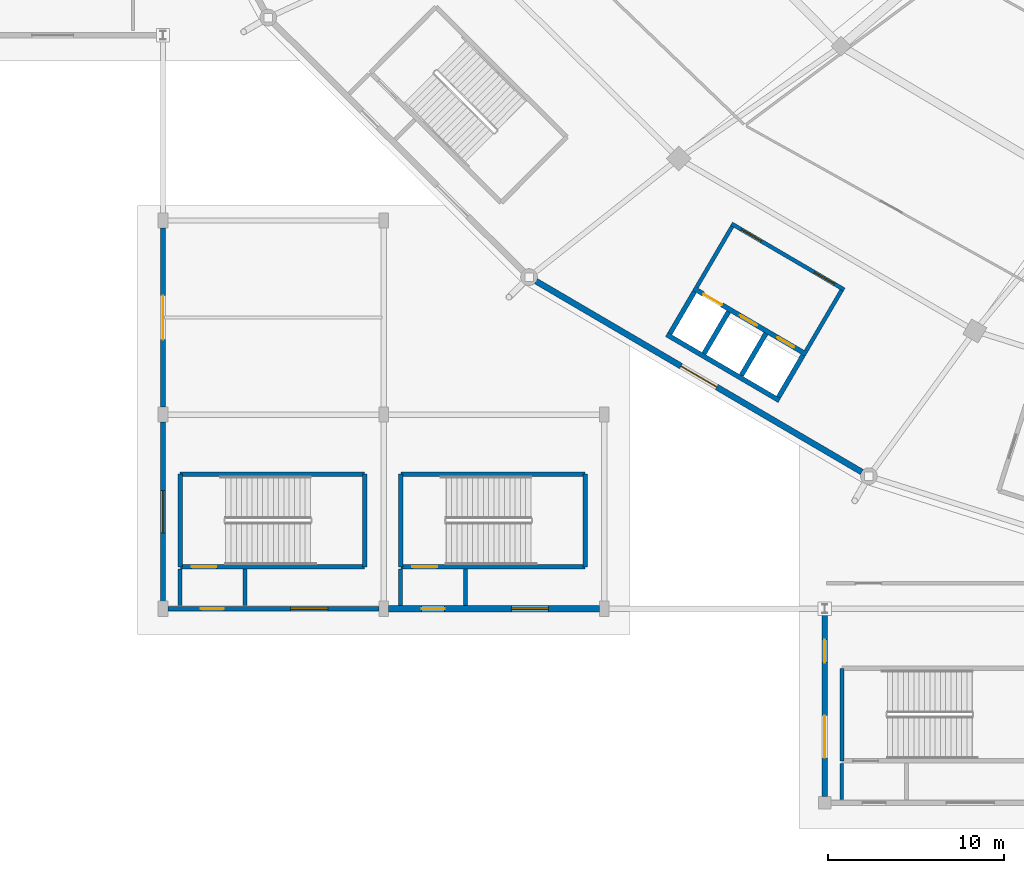
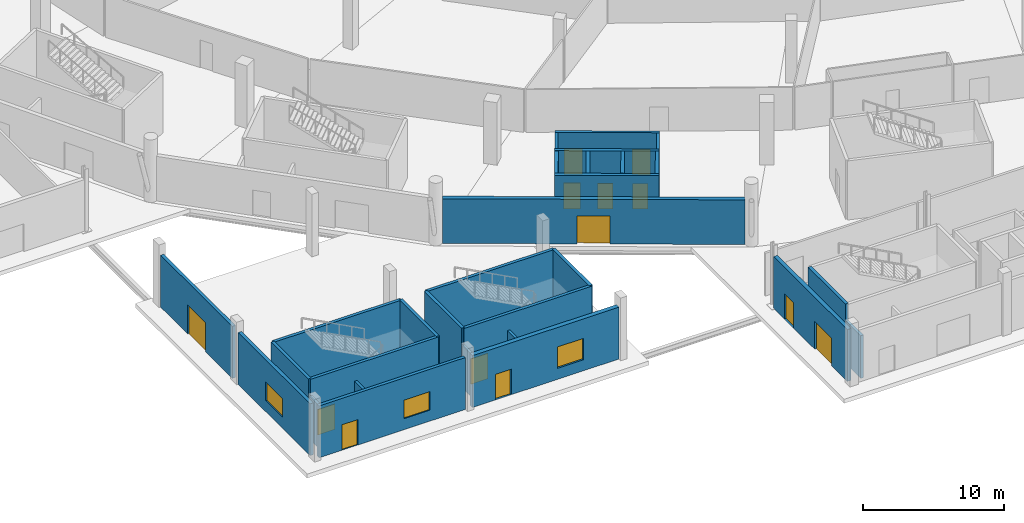
# One storey, part 36 of 82: 29 walls, 13 doors, 3 windows, 16 openings.
"""IFC4 building model written with IfcOpenShell, lengths in metres."""

import ifcopenshell
import ifcopenshell.guid

model = None  # the IFC model being written
_history = None  # IfcOwnerHistory: only IFC2X3 demands one
_inside = {}  # id of a spatial element -> (the spatial element, [elements in it])
_under = {}  # id of a project, library or spatial element -> (it, [spatial elements below it])
_declared = {}  # id of a project -> (the project, [libraries it declares])
_typed = {}  # id of a type object -> (the type object, [elements of that type])
_made_of = {}  # id of a material, layer set ... -> (it, [elements and type objects made of it])


def new_model(schema):
    """Start an empty IFC model of exactly this schema.

    Asked for "IFC4X3", IfcOpenShell would pick the latest addendum, in which some entities
    have other attributes; the version numbers below select the first issue.
    IFC2X3 requires an IfcOwnerHistory on every rooted entity: one is made here for all.
    """
    global model, _history
    if schema == "IFC4X3":
        model = ifcopenshell.file(schema_version=(4, 3, 0, 0))
    else:
        model = ifcopenshell.file(schema=schema)
    _inside.clear()
    _under.clear()
    _declared.clear()
    _typed.clear()
    _made_of.clear()
    _history = None
    if model.schema == "IFC2X3":
        org = make("IfcOrganization", Name="unknown")
        user = make(
            "IfcPersonAndOrganization",
            ThePerson=make("IfcPerson", FamilyName="unknown"),
            TheOrganization=org,
        )
        app = make(
            "IfcApplication",
            ApplicationDeveloper=org,
            Version="unknown",
            ApplicationFullName="unknown",
            ApplicationIdentifier="unknown",
        )
        _history = make(
            "IfcOwnerHistory",
            OwningUser=user,
            OwningApplication=app,
            ChangeAction="ADDED",
            CreationDate=0,
        )
    return model


def make(cls, **values):
    """One entity of the class cls with the attributes given. An attribute that is None is left unset."""
    return model.create_entity(
        cls, **{name: value for name, value in values.items() if value is not None}
    )


def rooted(cls, **values):
    """An entity with a GlobalId (a new one), such as an element, a storey or a relation."""
    return make(cls, GlobalId=ifcopenshell.guid.new(), OwnerHistory=_history, **values)


def si_unit(unit_type, name, prefix=None):
    """IfcSIUnit, for example si_unit("LENGTHUNIT", "METRE", prefix="MILLI")."""
    return make("IfcSIUnit", UnitType=unit_type, Prefix=prefix, Name=name)


def assignment(units):
    """IfcUnitAssignment: the units of a project."""
    return None if units is None else make("IfcUnitAssignment", Units=units)


def point(xyz):
    """IfcCartesianPoint."""
    return None if xyz is None else make("IfcCartesianPoint", Coordinates=xyz)


def direction(xyz):
    """IfcDirection."""
    return None if xyz is None else make("IfcDirection", DirectionRatios=xyz)


def frame(location, z_axis=None, x_axis=None):
    """IfcAxis2Placement3D, a coordinate frame: its origin and axes. An axis left out is left unset."""
    return make(
        "IfcAxis2Placement3D",
        Location=point(location),
        Axis=direction(z_axis),
        RefDirection=direction(x_axis),
    )


def frame_2d(location, x_axis=None):
    """IfcAxis2Placement2D, a coordinate frame in the plane: its origin and x axis."""
    return make(
        "IfcAxis2Placement2D", Location=point(location), RefDirection=direction(x_axis)
    )


def origin():
    """The frame at (0, 0, 0) with its axes left unset."""
    return frame((0.0, 0.0, 0.0))


def place(relative_to, where):
    """IfcLocalPlacement: puts the frame where relative to a parent placement (None: the world)."""
    return make(
        "IfcLocalPlacement", PlacementRelTo=relative_to, RelativePlacement=where
    )


def context(
    kind, dimensions, precision=None, world=None, true_north=None, identifier=None
):
    """IfcGeometricRepresentationContext, for example the 3D "Model" context."""
    return make(
        "IfcGeometricRepresentationContext",
        ContextIdentifier=identifier,
        ContextType=kind,
        CoordinateSpaceDimension=dimensions,
        Precision=precision,
        WorldCoordinateSystem=world,
        TrueNorth=true_north,
    )


def subcontext(parent, identifier, kind, view, scale=None):
    """IfcGeometricRepresentationSubContext, for example "Body" below "Model"."""
    return make(
        "IfcGeometricRepresentationSubContext",
        ContextIdentifier=identifier,
        ContextType=kind,
        ParentContext=parent,
        TargetScale=scale,
        TargetView=view,
    )


def project(units=None, contexts=None):
    """IfcProject with its units and contexts."""
    return rooted(
        "IfcProject",
        Name="project",
        RepresentationContexts=contexts,
        UnitsInContext=assignment(units),
    )


def spatial(cls, under=None, at=None, **own):
    """A site, building, storey or space (cls), placed at a placement, below another one or the project."""
    s = rooted(cls, ObjectPlacement=at, **own)
    if under is not None:
        _under.setdefault(under.id(), (under, []))[1].append(s)
    return s


def profile(cls, at=None, kind="AREA", **sizes):
    """A parametric profile (cls). Its sizes go by their IFC names, for example OverallWidth=200.0."""
    return make(cls, ProfileType=kind, Position=at, **sizes)


def rectangle(**sizes):
    """IfcRectangleProfileDef."""
    return profile("IfcRectangleProfileDef", **sizes)


def extrude(swept, where, along, depth):
    """IfcExtrudedAreaSolid: the profile swept, set in the frame where, extruded along a direction by depth."""
    return make(
        "IfcExtrudedAreaSolid",
        SweptArea=swept,
        Position=where,
        ExtrudedDirection=direction(along),
        Depth=depth,
    )


def shape(context_of_items, identifier, shape_type, items):
    """IfcShapeRepresentation: the items that make up one representation, for example the "Body"."""
    return make(
        "IfcShapeRepresentation",
        ContextOfItems=context_of_items,
        RepresentationIdentifier=identifier,
        RepresentationType=shape_type,
        Items=items,
    )


def material(Name=None, Category=None):
    """IfcMaterial."""
    return make("IfcMaterial", Name=Name, Category=Category)


def layer(
    of_material, thickness, ventilated=None, Name=None, Category=None, Priority=None
):
    """IfcMaterialLayer: one layer of a wall or slab, of a material (None: an air gap)."""
    return make(
        "IfcMaterialLayer",
        Material=of_material,
        LayerThickness=thickness,
        IsVentilated=ventilated,
        Name=Name,
        Category=Category,
        Priority=Priority,
    )


def layer_set(layers, Name=None):
    """IfcMaterialLayerSet."""
    return make("IfcMaterialLayerSet", MaterialLayers=layers, LayerSetName=Name)


def made_of(thing, what):
    """Note that an element or type object is made of a material, layer set ...; save() writes the relation."""
    if what is not None:
        _made_of.setdefault(what.id(), (what, []))[1].append(thing)
    return thing


def type_object(cls, material=None, **own):
    """A type object (cls), such as IfcWallType, which elements share."""
    return made_of(rooted(cls, **own), material)


def element(
    cls,
    number,
    at=None,
    inside=None,
    cuts=None,
    type_object=None,
    material=None,
    context=None,
    identifier="Body",
    shape_type=None,
    held_by="IfcProductDefinitionShape",
    body=None,
    shapes=None,
    **own,
):
    """One element of the class cls, such as IfcWall. Its Tag is "e" and its number.

    at: its placement. inside: the storey or other place that contains it. cuts: it is an
    opening in that element (IfcRelVoidsElement). A single representation is given by context,
    identifier, shape_type and body (its items); several are given by shapes. held_by: the class
    of the entity that holds the representations. save() writes the other relations.
    """
    e = rooted(cls, Tag="e%d" % number, ObjectPlacement=at, **own)
    if body is not None:
        shapes = [shape(context, identifier, shape_type, body)]
    if shapes is not None:
        e.Representation = make(held_by, Representations=shapes)
    if inside is not None:
        _inside.setdefault(inside.id(), (inside, []))[1].append(e)
    if cuts is not None:
        rooted(
            "IfcRelVoidsElement", RelatingBuildingElement=cuts, RelatedOpeningElement=e
        )
    if type_object is not None:
        _typed.setdefault(type_object.id(), (type_object, []))[1].append(e)
    return made_of(e, material)


def fill(opening, filler):
    """IfcRelFillsElement: the door or window that sits in an opening."""
    return rooted(
        "IfcRelFillsElement",
        RelatingOpeningElement=opening,
        RelatedBuildingElement=filler,
    )


def aggregate(whole, parts):
    """IfcRelAggregates: a whole, such as a stair, and the parts it consists of."""
    return rooted("IfcRelAggregates", RelatingObject=whole, RelatedObjects=parts)


def save(model, path):
    """Write the relations noted so far, then the file.

    IfcRelAggregates (storeys below a building ...), IfcRelContainedInSpatialStructure (elements
    in a storey), IfcRelDefinesByType, IfcRelAssociatesMaterial and IfcRelDeclares: one each for
    every whole, place, type object, material and project.
    """
    for whole, parts in _under.values():
        aggregate(whole, parts)
    for where, things in _inside.values():
        rooted(
            "IfcRelContainedInSpatialStructure",
            RelatedElements=things,
            RelatingStructure=where,
        )
    for kind, things in _typed.values():
        rooted("IfcRelDefinesByType", RelatedObjects=things, RelatingType=kind)
    for what, things in _made_of.values():
        rooted("IfcRelAssociatesMaterial", RelatedObjects=things, RelatingMaterial=what)
    for by, libraries in _declared.values():
        rooted("IfcRelDeclares", RelatingContext=by, RelatedDefinitions=libraries)
    model.write(path)


model = new_model("IFC4")

# Units and contexts
model_context = context("Model", 3, precision=1e-05, world=origin(), true_north=direction((0.0, 1.0)))
body_context = subcontext(model_context, "Body", "Model", "MODEL_VIEW")
ifc_project = project(units=[si_unit("LENGTHUNIT", "METRE"), si_unit("AREAUNIT", "SQUARE_METRE"), si_unit("VOLUMEUNIT", "CUBIC_METRE"), si_unit("PLANEANGLEUNIT", "RADIAN"), si_unit("MASSUNIT", "GRAM", prefix="KILO")], contexts=[model_context])

# Site, building, storey
site_placement = place(None, origin())
site = spatial("IfcSite", under=ifc_project, at=site_placement, CompositionType="ELEMENT")
building_placement = place(site_placement, origin())
building = spatial("IfcBuilding", under=site, at=building_placement, Name="Zlatoyarsky Gate Stadium", CompositionType="ELEMENT")
storey_placement = place(building_placement, origin())
storey = spatial("IfcBuildingStorey", under=building, at=storey_placement, Name="L00", CompositionType="ELEMENT", Elevation=0.0)

# Walls
ifc_material_1 = material(Name="Concrete C40/50", Category="concrete")
ifc_layer_1 = layer(ifc_material_1, 0.27001953125)
ifc_layer_set_1 = layer_set([ifc_layer_1], Name="Concrete C40/50")
wall_type_1 = type_object("IfcWallType", Name="CONCRETE LIFT SHAFT SHEAR WALL 270", PredefinedType="SHEAR", material=ifc_layer_set_1)
wall_1_placement = place(storey_placement, frame((53.037353515625, 26.541015625, 0.0), z_axis=(0.0, 0.0, 1.0), x_axis=(0.862865684113, -0.505433290534, 0.0)))
element("IfcWall", 1, at=wall_1_placement, inside=storey, type_object=wall_type_1, Name="C3 L00 lift shaft rear wall", PredefinedType="SHEAR", context=body_context, shape_type="SweptSolid", body=[
    extrude(rectangle(XDim=7.400146484375, YDim=0.27001953125, at=frame_2d((3.7001953125, 0.0))), origin(), (0.0, 0.0, 1.0), 5.10009765625),
])
for number, where, z_axis, x_axis, name in (
    (2, (53.227294921875, 26.597900390625, 0.0), (0.0, 0.0, 1.0), (0.505465660416, 0.862846722275, 0.0), "C3 L00 lift shaft left wall"),
    (3, (59.37939453125, 22.993896484375, 0.0), (0.0, 0.0, 1.0), (0.505465660416, 0.862846722275, 0.0), "C3 L00 lift shaft right wall"),
):
    element("IfcWall", number, at=place(storey_placement, frame(where, z_axis=z_axis, x_axis=x_axis)), inside=storey, type_object=wall_type_1, Name=name, PredefinedType="SHEAR", context=body_context, shape_type="SweptSolid", body=[
        extrude(rectangle(XDim=2.739990234375, YDim=0.27001953125, at=frame_2d((1.3701171875, 0.0))), origin(), (0.0, 0.0, 1.0), 5.10009765625),
    ])
wall_2_placement = place(storey_placement, frame((55.159912109375, 25.4658203125, 0.0), z_axis=(0.0, 0.0, 1.0), x_axis=(0.505504523015, 0.862823954936, 0.0)))
element("IfcWall", 4, at=wall_2_placement, inside=storey, type_object=wall_type_1, Name="C3 L00 lift shaft divider 1", PredefinedType="SHEAR", context=body_context, shape_type="SweptSolid", body=[
    extrude(rectangle(XDim=2.73974609375, YDim=0.27001953125, at=frame_2d((1.369873046875, 0.0))), origin(), (0.0, 0.0, 1.0), 5.10009765625),
])
wall_3_placement = place(storey_placement, frame((57.27392578125, 24.227294921875, 0.0), z_axis=(0.0, 0.0, 1.0), x_axis=(0.505465660416, 0.862846722275, 0.0)))
element("IfcWall", 5, at=wall_3_placement, inside=storey, type_object=wall_type_1, Name="C3 L00 lift shaft divider 2", PredefinedType="SHEAR", context=body_context, shape_type="SweptSolid", body=[
    extrude(rectangle(XDim=2.739990234375, YDim=0.27001953125, at=frame_2d((1.3701171875, 0.0))), origin(), (0.0, 0.0, 1.0), 5.10009765625),
])

# Wall, openings, doors
wall_4_placement = place(storey_placement, frame((54.569091796875, 29.155517578125, 0.0), z_axis=(0.0, 0.0, 1.0), x_axis=(0.862842866418, -0.505472242434, 0.0)))
wall_4 = element("IfcWall", 6, at=wall_4_placement, inside=storey, type_object=wall_type_1, Name="C3 L00 lift landing front wall", PredefinedType="SHEAR", context=body_context, shape_type="SweptSolid", body=[
    extrude(rectangle(XDim=7.39990234375, YDim=0.27001953125, at=frame_2d((3.699951171875, 0.0))), origin(), (0.0, 0.0, 1.0), 5.10009765625),
])
opening_1_placement = place(wall_4_placement, frame((0.64990234375, 0.0, 0.0)))
opening_1 = element("IfcOpeningElement", 7, at=opening_1_placement, cuts=wall_4, Name="Opening LD-FL-03-L00", PredefinedType="OPENING", context=body_context, shape_type="SweptSolid", body=[
    extrude(rectangle(XDim=1.199951171875, YDim=2.25, at=frame_2d((0.60009765625, 1.125))), frame((0.0, 0.14501953125, 0.0), z_axis=(0.0, -1.0, 0.0), x_axis=(1.0, 0.0, 0.0)), (0.0, 0.0, 1.0), 0.2900390625),
])
opening_2_placement = place(wall_4_placement, frame((3.050048828125, 0.0, 0.0)))
opening_2 = element("IfcOpeningElement", 8, at=opening_2_placement, cuts=wall_4, Name="Opening LD-LF-05-L00", PredefinedType="OPENING", context=body_context, shape_type="SweptSolid", body=[
    extrude(rectangle(XDim=1.10009765625, YDim=2.199951171875, at=frame_2d((0.550048828125, 1.10009765625))), frame((0.0, 0.14501953125, 0.0), z_axis=(0.0, -1.0, 0.0), x_axis=(1.0, 0.0, 0.0)), (0.0, 0.0, 1.0), 0.2900390625),
])
opening_3_placement = place(wall_4_placement, frame((5.5, 0.0, 0.0)))
opening_3 = element("IfcOpeningElement", 9, at=opening_3_placement, cuts=wall_4, Name="Opening LD-LF-06-L00", PredefinedType="OPENING", context=body_context, shape_type="SweptSolid", body=[
    extrude(rectangle(XDim=1.10009765625, YDim=2.199951171875, at=frame_2d((0.550048828125, 1.10009765625))), frame((0.0, 0.14501953125, 0.0), z_axis=(0.0, -1.0, 0.0), x_axis=(1.0, 0.0, 0.0)), (0.0, 0.0, 1.0), 0.2900390625),
])
ifc_material_2 = material(Name="Powder-coated steel fire door", Category="steel")
door_type_1 = type_object("IfcDoorType", Name="STAINLESS LIFT LANDING SLIDING DOOR 1100X2200", OperationType="DOUBLE_DOOR_SLIDING", PredefinedType="DOOR", material=ifc_material_2)
door_1_placement = place(opening_2_placement, origin())
door_1 = element("IfcDoor", 10, at=door_1_placement, inside=storey, type_object=door_type_1, Name="Lift LF-05 L00 sliding landing door", OperationType="DOUBLE_DOOR_SLIDING", OverallHeight=2.199951171875, OverallWidth=1.10009765625, PredefinedType="DOOR", context=body_context, shape_type="SweptSolid", body=[
    extrude(rectangle(XDim=1.10009765625, YDim=2.199951171875, at=frame_2d((0.550048828125, 1.10009765625))), frame((0.0, 0.02490234375, 0.0), z_axis=(0.0, -1.0, 0.0), x_axis=(1.0, 0.0, 0.0)), (0.0, 0.0, 1.0), 0.050048828125),
])
fill(opening_2, door_1)
door_2_placement = place(opening_3_placement, origin())
door_2 = element("IfcDoor", 11, at=door_2_placement, inside=storey, type_object=door_type_1, Name="Lift LF-06 L00 sliding landing door", OperationType="DOUBLE_DOOR_SLIDING", OverallHeight=2.199951171875, OverallWidth=1.10009765625, PredefinedType="DOOR", context=body_context, shape_type="SweptSolid", body=[
    extrude(rectangle(XDim=1.10009765625, YDim=2.199951171875, at=frame_2d((0.550048828125, 1.10009765625))), frame((0.0, 0.02490234375, 0.0), z_axis=(0.0, -1.0, 0.0), x_axis=(1.0, 0.0, 0.0)), (0.0, 0.0, 1.0), 0.050048828125),
])
fill(opening_3, door_2)
door_type_2 = type_object("IfcDoorType", Name="STAINLESS LIFT LANDING SLIDING DOOR 1200X2250", OperationType="DOUBLE_DOOR_SLIDING", PredefinedType="DOOR", material=ifc_material_2)
door_3_placement = place(opening_1_placement, origin())
door_3 = element("IfcDoor", 12, at=door_3_placement, inside=storey, type_object=door_type_2, Name="Lift FL-03 L00 sliding landing door", OperationType="DOUBLE_DOOR_SLIDING", OverallHeight=2.25, OverallWidth=1.199951171875, PredefinedType="DOOR", context=body_context, shape_type="SweptSolid", body=[
    extrude(rectangle(XDim=1.199951171875, YDim=2.25, at=frame_2d((0.60009765625, 1.125))), frame((0.0, 0.02490234375, 0.0), z_axis=(0.0, -1.0, 0.0), x_axis=(1.0, 0.0, 0.0)), (0.0, 0.0, 1.0), 0.050048828125),
])
fill(opening_1, door_3)

# Wall
ifc_layer_2 = layer(ifc_material_1, 0.25)
ifc_layer_set_2 = layer_set([ifc_layer_2], Name="Concrete C40/50")
wall_type_2 = type_object("IfcWallType", Name="CONCRETE STAIR CORE SHEAR WALL 250", PredefinedType="SHEAR", material=ifc_layer_set_2)
wall_5_placement = place(storey_placement, frame((25.47509765625, 18.625, 0.0), z_axis=(0.0, 0.0, 1.0), x_axis=(0.0, -1.0, 0.0)))
element("IfcWall", 13, at=wall_5_placement, inside=storey, type_object=wall_type_2, Name="ST-21 L00 stair core entrance shear wall", PredefinedType="SHEAR", context=body_context, shape_type="SweptSolid", body=[
    extrude(rectangle(XDim=5.25, YDim=0.25, at=frame_2d((2.625, 0.0))), origin(), (0.0, 0.0, 1.0), 5.10009765625),
])

# Wall, opening, door
wall_6_placement = place(storey_placement, frame((25.47509765625, 13.375, 0.0), z_axis=(0.0, 0.0, 1.0), x_axis=(1.0, 0.0, 0.0)))
wall_6 = element("IfcWall", 14, at=wall_6_placement, inside=storey, type_object=wall_type_2, Name="ST-21 L00 stair core left shear wall", PredefinedType="SHEAR", context=body_context, shape_type="SweptSolid", body=[
    extrude(rectangle(XDim=10.449951171875, YDim=0.25, at=frame_2d((5.22509765625, 0.0))), origin(), (0.0, 0.0, 1.0), 5.10009765625),
])
opening_4_placement = place(wall_6_placement, frame((0.64990234375, 0.0, 0.0)))
opening_4 = element("IfcOpeningElement", 15, at=opening_4_placement, cuts=wall_6, Name="Opening SD-ST-21-L00", PredefinedType="OPENING", context=body_context, shape_type="SweptSolid", body=[
    extrude(rectangle(XDim=1.39990234375, YDim=2.199951171875, at=frame_2d((0.699951171875, 1.10009765625))), frame((0.0, 0.135009765625, 0.0), z_axis=(0.0, -1.0, 0.0), x_axis=(1.0, 0.0, 0.0)), (0.0, 0.0, 1.0), 0.27001953125),
])
door_type_3 = type_object("IfcDoorType", Name="STAIR CORE FIRE EXIT DOOR 1400X2200", OperationType="NOTDEFINED", PredefinedType="DOOR", material=ifc_material_2)
door_4_placement = place(opening_4_placement, frame((1.39990234375, 0.0, 0.0), z_axis=(0.0, 0.0, 1.0), x_axis=(-1.0, 0.0, 0.0)))
door_4 = element("IfcDoor", 16, at=door_4_placement, inside=storey, type_object=door_type_3, Name="ST-21 L00 protected exit discharge fire door", OperationType="SINGLE_SWING_RIGHT", OverallHeight=2.199951171875, OverallWidth=1.39990234375, PredefinedType="DOOR", context=body_context, shape_type="SweptSolid", body=[
    extrude(rectangle(XDim=1.39990234375, YDim=2.199951171875, at=frame_2d((0.699951171875, 1.10009765625))), frame((0.0, 0.02490234375, 0.0), z_axis=(0.0, -1.0, 0.0), x_axis=(1.0, 0.0, 0.0)), (0.0, 0.0, 1.0), 0.050048828125),
])
fill(opening_4, door_4)

# Walls
wall_7_placement = place(storey_placement, frame((35.925048828125, 13.375, 0.0), z_axis=(0.0, 0.0, 1.0), x_axis=(0.0, 1.0, 0.0)))
element("IfcWall", 17, at=wall_7_placement, inside=storey, type_object=wall_type_2, Name="ST-21 L00 stair core far shear wall", PredefinedType="SHEAR", context=body_context, shape_type="SweptSolid", body=[
    extrude(rectangle(XDim=5.25, YDim=0.25, at=frame_2d((2.625, 0.0))), origin(), (0.0, 0.0, 1.0), 5.10009765625),
])
wall_8_placement = place(storey_placement, frame((35.925048828125, 18.625, 0.0), z_axis=(0.0, 0.0, 1.0), x_axis=(-1.0, 0.0, 0.0)))
element("IfcWall", 18, at=wall_8_placement, inside=storey, type_object=wall_type_2, Name="ST-21 L00 stair core right shear wall", PredefinedType="SHEAR", context=body_context, shape_type="SweptSolid", body=[
    extrude(rectangle(XDim=10.449951171875, YDim=0.25, at=frame_2d((5.22509765625, 0.0))), origin(), (0.0, 0.0, 1.0), 5.10009765625),
])
wall_9_placement = place(storey_placement, frame((37.97509765625, 18.625, 0.0), z_axis=(0.0, 0.0, 1.0), x_axis=(0.0, -1.0, 0.0)))
element("IfcWall", 19, at=wall_9_placement, inside=storey, type_object=wall_type_2, Name="ST-22 L00 stair core entrance shear wall", PredefinedType="SHEAR", context=body_context, shape_type="SweptSolid", body=[
    extrude(rectangle(XDim=5.25, YDim=0.25, at=frame_2d((2.625, 0.0))), origin(), (0.0, 0.0, 1.0), 5.10009765625),
])

# Wall, opening, door
wall_10_placement = place(storey_placement, frame((37.97509765625, 13.375, 0.0), z_axis=(0.0, 0.0, 1.0), x_axis=(1.0, 0.0, 0.0)))
wall_10 = element("IfcWall", 20, at=wall_10_placement, inside=storey, type_object=wall_type_2, Name="ST-22 L00 stair core left shear wall", PredefinedType="SHEAR", context=body_context, shape_type="SweptSolid", body=[
    extrude(rectangle(XDim=10.449951171875, YDim=0.25, at=frame_2d((5.22509765625, 0.0))), origin(), (0.0, 0.0, 1.0), 5.10009765625),
])
opening_5_placement = place(wall_10_placement, frame((0.64990234375, 0.0, 0.0)))
opening_5 = element("IfcOpeningElement", 21, at=opening_5_placement, cuts=wall_10, Name="Opening SD-ST-22-L00", PredefinedType="OPENING", context=body_context, shape_type="SweptSolid", body=[
    extrude(rectangle(XDim=1.39990234375, YDim=2.199951171875, at=frame_2d((0.699951171875, 1.10009765625))), frame((0.0, 0.135009765625, 0.0), z_axis=(0.0, -1.0, 0.0), x_axis=(1.0, 0.0, 0.0)), (0.0, 0.0, 1.0), 0.27001953125),
])
door_5_placement = place(opening_5_placement, frame((1.39990234375, 0.0, 0.0), z_axis=(0.0, 0.0, 1.0), x_axis=(-1.0, 0.0, 0.0)))
door_5 = element("IfcDoor", 22, at=door_5_placement, inside=storey, type_object=door_type_3, Name="ST-22 L00 protected exit discharge fire door", OperationType="SINGLE_SWING_LEFT", OverallHeight=2.199951171875, OverallWidth=1.39990234375, PredefinedType="DOOR", context=body_context, shape_type="SweptSolid", body=[
    extrude(rectangle(XDim=1.39990234375, YDim=2.199951171875, at=frame_2d((0.699951171875, 1.10009765625))), frame((0.0, 0.02490234375, 0.0), z_axis=(0.0, -1.0, 0.0), x_axis=(1.0, 0.0, 0.0)), (0.0, 0.0, 1.0), 0.050048828125),
])
fill(opening_5, door_5)

# Walls
wall_11_placement = place(storey_placement, frame((48.425048828125, 13.375, 0.0), z_axis=(0.0, 0.0, 1.0), x_axis=(0.0, 1.0, 0.0)))
element("IfcWall", 23, at=wall_11_placement, inside=storey, type_object=wall_type_2, Name="ST-22 L00 stair core far shear wall", PredefinedType="SHEAR", context=body_context, shape_type="SweptSolid", body=[
    extrude(rectangle(XDim=5.25, YDim=0.25, at=frame_2d((2.625, 0.0))), origin(), (0.0, 0.0, 1.0), 5.10009765625),
])
wall_12_placement = place(storey_placement, frame((48.425048828125, 18.625, 0.0), z_axis=(0.0, 0.0, 1.0), x_axis=(-1.0, 0.0, 0.0)))
element("IfcWall", 24, at=wall_12_placement, inside=storey, type_object=wall_type_2, Name="ST-22 L00 stair core right shear wall", PredefinedType="SHEAR", context=body_context, shape_type="SweptSolid", body=[
    extrude(rectangle(XDim=10.449951171875, YDim=0.25, at=frame_2d((5.22509765625, 0.0))), origin(), (0.0, 0.0, 1.0), 5.10009765625),
])
wall_13_placement = place(storey_placement, frame((62.97509765625, 7.625, 0.0), z_axis=(0.0, 0.0, 1.0), x_axis=(0.0, -1.0, 0.0)))
element("IfcWall", 25, at=wall_13_placement, inside=storey, type_object=wall_type_2, Name="ST-29 L00 stair core entrance shear wall", PredefinedType="SHEAR", context=body_context, shape_type="SweptSolid", body=[
    extrude(rectangle(XDim=5.25, YDim=0.25, at=frame_2d((2.625, 0.0))), origin(), (0.0, 0.0, 1.0), 5.10009765625),
])
ifc_material_3 = material(Name="Autoclaved aerated concrete masonry EI 120", Category="masonry")
ifc_layer_3 = layer(ifc_material_3, 0.219970703125)
ifc_layer_set_3 = layer_set([ifc_layer_3], Name="Autoclaved aerated concrete masonry EI 120")
wall_type_3 = type_object("IfcWallType", Name="FIREFIGHTING LOBBY RATED WALL 220", PredefinedType="PARTITIONING", material=ifc_layer_set_3)
for number, where, z_axis, x_axis, name in (
    (26, (25.4599609375, 11.18994140625, 0.0), (0.0, 0.0, 1.0), (0.0, 1.0, 0.0), "ST-21 L00 protected exit lobby EI 120 wall 1"),
    (27, (29.139892578125, 11.18994140625, 0.0), (0.0, 0.0, 1.0), (0.0, 1.0, 0.0), "ST-21 L00 protected exit lobby EI 120 wall 2"),
    (28, (37.9599609375, 11.18994140625, 0.0), (0.0, 0.0, 1.0), (0.0, 1.0, 0.0), "ST-22 L00 protected exit lobby EI 120 wall 1"),
    (29, (41.639892578125, 11.18994140625, 0.0), (0.0, 0.0, 1.0), (0.0, 1.0, 0.0), "ST-22 L00 protected exit lobby EI 120 wall 2"),
    (30, (62.9599609375, 0.18994140625, 0.0), (0.0, 0.0, 1.0), (0.0, 1.0, 0.0), "ST-29 L00 protected exit lobby EI 120 wall 1"),
):
    element("IfcWall", number, at=place(storey_placement, frame(where, z_axis=z_axis, x_axis=x_axis)), inside=storey, type_object=wall_type_3, Name=name, PredefinedType="PARTITIONING", context=body_context, shape_type="SweptSolid", body=[
        extrude(rectangle(XDim=2.050048828125, YDim=0.219970703125, at=frame_2d((1.02490234375, 0.0))), origin(), (0.0, 0.0, 1.0), 3.68994140625),
    ])
for number, where, z_axis, x_axis, name in (
    (31, (54.7421875, 29.233642578125, 0.0), (0.0, 0.0, 1.0), (0.505464443681, 0.862847435051, 0.0), "C3 L00 firefighting lobby left wall"),
    (32, (60.9375, 25.6044921875, 0.0), (0.0, 0.0, 1.0), (0.505464443681, 0.862847435051, 0.0), "C3 L00 firefighting lobby right wall"),
):
    element("IfcWall", number, at=place(storey_placement, frame(where, z_axis=z_axis, x_axis=x_axis)), inside=storey, type_object=wall_type_3, Name=name, PredefinedType="PARTITIONING", context=body_context, shape_type="SweptSolid", body=[
        extrude(rectangle(XDim=3.97998046875, YDim=0.219970703125, at=frame_2d((1.989990234375, 0.0))), origin(), (0.0, 0.0, 1.0), 3.68994140625),
    ])

# Wall, openings, doors
wall_14_placement = place(storey_placement, frame((56.714599609375, 32.818359375, 0.0), z_axis=(0.0, 0.0, 1.0), x_axis=(0.862851295616, -0.505457853488, 0.0)))
wall_14 = element("IfcWall", 33, at=wall_14_placement, inside=storey, type_object=wall_type_3, Name="C3 L00 firefighting lobby front wall", PredefinedType="PARTITIONING", context=body_context, shape_type="SweptSolid", body=[
    extrude(rectangle(XDim=7.400146484375, YDim=0.219970703125, at=frame_2d((3.7001953125, 0.0))), origin(), (0.0, 0.0, 1.0), 3.68994140625),
])
opening_6_placement = place(wall_14_placement, frame((0.64990234375, 0.0, 0.0)))
opening_6 = element("IfcOpeningElement", 34, at=opening_6_placement, cuts=wall_14, Name="Opening FD-C3-L00-A", PredefinedType="OPENING", context=body_context, shape_type="SweptSolid", body=[
    extrude(rectangle(XDim=1.300048828125, YDim=2.199951171875, at=frame_2d((0.64990234375, 1.10009765625))), frame((0.0, 0.119873046875, 0.0), z_axis=(0.0, -1.0, 0.0), x_axis=(1.0, 0.0, 0.0)), (0.0, 0.0, 1.0), 0.239990234375),
])
opening_7_placement = place(wall_14_placement, frame((5.449951171875, 0.0, 0.0)))
opening_7 = element("IfcOpeningElement", 35, at=opening_7_placement, cuts=wall_14, Name="Opening FD-C3-L00-B", PredefinedType="OPENING", context=body_context, shape_type="SweptSolid", body=[
    extrude(rectangle(XDim=1.300048828125, YDim=2.199951171875, at=frame_2d((0.64990234375, 1.10009765625))), frame((0.0, 0.119873046875, 0.0), z_axis=(0.0, -1.0, 0.0), x_axis=(1.0, 0.0, 0.0)), (0.0, 0.0, 1.0), 0.239990234375),
])
door_type_4 = type_object("IfcDoorType", Name="FIREFIGHTING LOBBY FIRE DOOR 1300X2200", OperationType="NOTDEFINED", PredefinedType="DOOR", material=ifc_material_2)
door_6_placement = place(opening_6_placement, origin())
door_6 = element("IfcDoor", 36, at=door_6_placement, inside=storey, type_object=door_type_4, Name="C3 L00 firefighting lobby fire door FD-C3-L00-A", OperationType="SINGLE_SWING_LEFT", OverallHeight=2.199951171875, OverallWidth=1.300048828125, PredefinedType="DOOR", context=body_context, shape_type="SweptSolid", body=[
    extrude(rectangle(XDim=1.300048828125, YDim=2.199951171875, at=frame_2d((0.64990234375, 1.10009765625))), frame((0.0, 0.02490234375, 0.0), z_axis=(0.0, -1.0, 0.0), x_axis=(1.0, 0.0, 0.0)), (0.0, 0.0, 1.0), 0.050048828125),
])
fill(opening_6, door_6)
door_7_placement = place(opening_7_placement, origin())
door_7 = element("IfcDoor", 37, at=door_7_placement, inside=storey, type_object=door_type_4, Name="C3 L00 firefighting lobby fire door FD-C3-L00-B", OperationType="SINGLE_SWING_RIGHT", OverallHeight=2.199951171875, OverallWidth=1.300048828125, PredefinedType="DOOR", context=body_context, shape_type="SweptSolid", body=[
    extrude(rectangle(XDim=1.300048828125, YDim=2.199951171875, at=frame_2d((0.64990234375, 1.10009765625))), frame((0.0, 0.02490234375, 0.0), z_axis=(0.0, -1.0, 0.0), x_axis=(1.0, 0.0, 0.0)), (0.0, 0.0, 1.0), 0.050048828125),
])
fill(opening_7, door_7)

# Wall, opening, window
ifc_material_4 = material(Name="Precast concrete C40/50 architectural panel", Category="concrete")
ifc_layer_4 = layer(ifc_material_4, 0.280029296875)
ifc_layer_set_4 = layer_set([ifc_layer_4], Name="Precast concrete C40/50 architectural panel")
wall_type_4 = type_object("IfcWallType", Name="INSULATED WING SPANDREL WALL 280", PredefinedType="STANDARD", material=ifc_layer_set_4)
wall_15_placement = place(storey_placement, frame((24.5, 11.422119140625, 0.0), z_axis=(0.0, 0.0, 1.0), x_axis=(0.0, 1.0, 0.0)))
wall_15 = element("IfcWall", 38, at=wall_15_placement, inside=storey, type_object=wall_type_4, Name="V6_SW L00 W exterior wall", PredefinedType="STANDARD", context=body_context, shape_type="SweptSolid", body=[
    extrude(rectangle(XDim=10.15576171875, YDim=0.280029296875, at=frame_2d((5.077880859375, 0.0))), origin(), (0.0, 0.0, 1.0), 4.47998046875),
])
opening_8_placement = place(wall_15_placement, frame((3.8779296875, 0.0, 0.949951171875)))
opening_8 = element("IfcOpeningElement", 39, at=opening_8_placement, cuts=wall_15, Name="Opening WN-18", PredefinedType="OPENING", context=body_context, shape_type="SweptSolid", body=[
    extrude(rectangle(XDim=2.39990234375, YDim=1.60009765625, at=frame_2d((1.199951171875, 0.800048828125))), frame((0.0, 0.14990234375, 0.0), z_axis=(0.0, -1.0, 0.0), x_axis=(1.0, 0.0, 0.0)), (0.0, 0.0, 1.0), 0.300048828125),
])
ifc_material_5 = material(Name="Triple-glazed thermally broken aluminium window", Category="aluminium")
window_type_1 = type_object("IfcWindowType", Name="TRIPLE GLAZED ALUMINIUM WINDOW 2400X1600", PartitioningType="SINGLE_PANEL", PredefinedType="WINDOW", material=ifc_material_5)
window_1_placement = place(opening_8_placement, origin())
window_1 = element("IfcWindow", 40, at=window_1_placement, inside=storey, type_object=window_type_1, Name="Exterior window WIN-L00-074", OverallHeight=1.60009765625, OverallWidth=2.39990234375, PartitioningType="SINGLE_PANEL", PredefinedType="WINDOW", context=body_context, shape_type="SweptSolid", body=[
    extrude(rectangle(XDim=2.39990234375, YDim=1.60009765625, at=frame_2d((1.199951171875, 0.800048828125))), frame((0.0, 0.030029296875, 0.0), z_axis=(0.0, -1.0, 0.0), x_axis=(1.0, 0.0, 0.0)), (0.0, 0.0, 1.0), 0.06005859375),
])
fill(opening_8, window_1)

# Wall, openings, door, window
ifc_material_6 = material(Name="Limestone-faced insulated masonry wall", Category="masonry")
ifc_layer_5 = layer(ifc_material_6, 0.360107421875)
ifc_layer_set_5 = layer_set([ifc_layer_5], Name="Limestone-faced insulated masonry wall")
wall_type_5 = type_object("IfcWallType", Name="LIMESTONE CLAD CAVITY WALL 360", PredefinedType="STANDARD", material=ifc_layer_set_5)
wall_16_placement = place(storey_placement, frame((37.27197265625, 11.0, 0.0), z_axis=(0.0, 0.0, 1.0), x_axis=(1.0, 0.0, 0.0)))
wall_16 = element("IfcWall", 41, at=wall_16_placement, inside=storey, type_object=wall_type_5, Name="V6_SW L00 S exterior wall", PredefinedType="STANDARD", context=body_context, shape_type="SweptSolid", body=[
    extrude(rectangle(XDim=11.9560546875, YDim=0.360107421875, at=frame_2d((5.97802734375, 0.0))), origin(), (0.0, 0.0, 1.0), 4.47998046875),
])
opening_9_placement = place(wall_16_placement, frame((1.8779296875, 0.0, 0.0)))
opening_9 = element("IfcOpeningElement", 42, at=opening_9_placement, cuts=wall_16, Name="Opening ED-ST22", PredefinedType="OPENING", context=body_context, shape_type="SweptSolid", body=[
    extrude(rectangle(XDim=1.300048828125, YDim=2.199951171875, at=frame_2d((0.64990234375, 1.10009765625))), frame((0.0, 0.18994140625, 0.0), z_axis=(0.0, -1.0, 0.0), x_axis=(1.0, 0.0, 0.0)), (0.0, 0.0, 1.0), 0.380126953125),
])
opening_10_placement = place(wall_16_placement, frame((6.9619140625, 0.0, 0.949951171875)))
opening_10 = element("IfcOpeningElement", 43, at=opening_10_placement, cuts=wall_16, Name="Opening WN-15", PredefinedType="OPENING", context=body_context, shape_type="SweptSolid", body=[
    extrude(rectangle(XDim=2.10009765625, YDim=1.85009765625, at=frame_2d((1.050048828125, 0.925048828125))), frame((0.0, 0.18994140625, 0.0), z_axis=(0.0, -1.0, 0.0), x_axis=(1.0, 0.0, 0.0)), (0.0, 0.0, 1.0), 0.380126953125),
])
ifc_material_7 = material(Name="Thermally broken powder-coated steel and laminated safety glass", Category="steel")
door_type_5 = type_object("IfcDoorType", Name="STAIR DISCHARGE FIRE EXIT DOOR 1300X2200", OperationType="NOTDEFINED", PredefinedType="DOOR", material=ifc_material_7)
door_8_placement = place(opening_9_placement, frame((1.300048828125, 0.0, 0.0), z_axis=(0.0, 0.0, 1.0), x_axis=(-1.0, 0.0, 0.0)))
door_8 = element("IfcDoor", 44, at=door_8_placement, inside=storey, type_object=door_type_5, Name="Exterior door ED-ST22", OperationType="SINGLE_SWING_RIGHT", OverallHeight=2.199951171875, OverallWidth=1.300048828125, PredefinedType="DOOR", context=body_context, shape_type="SweptSolid", body=[
    extrude(rectangle(XDim=1.300048828125, YDim=2.199951171875, at=frame_2d((0.64990234375, 1.10009765625))), frame((0.0, 0.02490234375, 0.0), z_axis=(0.0, -1.0, 0.0), x_axis=(1.0, 0.0, 0.0)), (0.0, 0.0, 1.0), 0.050048828125),
])
fill(opening_9, door_8)
window_type_2 = type_object("IfcWindowType", Name="TRIPLE GLAZED ALUMINIUM WINDOW 2100X1850", PartitioningType="SINGLE_PANEL", PredefinedType="WINDOW", material=ifc_material_5)
window_2_placement = place(opening_10_placement, origin())
window_2 = element("IfcWindow", 45, at=window_2_placement, inside=storey, type_object=window_type_2, Name="Exterior window WIN-L00-071", OverallHeight=1.85009765625, OverallWidth=2.10009765625, PartitioningType="SINGLE_PANEL", PredefinedType="WINDOW", context=body_context, shape_type="SweptSolid", body=[
    extrude(rectangle(XDim=2.10009765625, YDim=1.85009765625, at=frame_2d((1.050048828125, 0.925048828125))), frame((0.0, 0.030029296875, 0.0), z_axis=(0.0, -1.0, 0.0), x_axis=(1.0, 0.0, 0.0)), (0.0, 0.0, 1.0), 0.06005859375),
])
fill(opening_10, window_2)

# Wall, opening, door
ifc_layer_6 = layer(ifc_material_6, 0.340087890625)
ifc_layer_set_6 = layer_set([ifc_layer_6], Name="Limestone-faced insulated masonry wall")
wall_type_6 = type_object("IfcWallType", Name="LIMESTONE GATE PLINTH WALL 340", PredefinedType="STANDARD", material=ifc_layer_set_6)
wall_17_placement = place(storey_placement, frame((45.635986328125, 29.56298828125, 0.0), z_axis=(0.0, 0.0, 1.0), x_axis=(0.862843632099, -0.505470935413, 0.0)))
wall_17 = element("IfcWall", 46, at=wall_17_placement, inside=storey, type_object=wall_type_6, Name="L00 bowl exterior plinth wall sector 15", PredefinedType="STANDARD", context=body_context, shape_type="SweptSolid", body=[
    extrude(rectangle(XDim=21.402587890625, YDim=0.340087890625, at=frame_2d((10.701171875, 0.0))), origin(), (0.0, 0.0, 1.0), 3.85009765625),
])
opening_11_placement = place(wall_17_placement, frame((9.5263671875, 0.0, 0.0)))
opening_11 = element("IfcOpeningElement", 47, at=opening_11_placement, cuts=wall_17, Name="Opening G09", PredefinedType="OPENING", context=body_context, shape_type="SweptSolid", body=[
    extrude(rectangle(XDim=2.35009765625, YDim=2.39990234375, at=frame_2d((1.175048828125, 1.199951171875))), frame((0.0, 0.179931640625, 0.0), z_axis=(0.0, -1.0, 0.0), x_axis=(1.0, 0.0, 0.0)), (0.0, 0.0, 1.0), 0.360107421875),
])
door_type_6 = type_object("IfcDoorType", Name="PEDESTRIAN FINAL EXIT DOUBLE DOOR 2350X2400", OperationType="DOUBLE_DOOR_SINGLE_SWING", PredefinedType="DOOR", material=ifc_material_7)
door_9_placement = place(opening_11_placement, frame((2.35009765625, 0.0, 0.0), z_axis=(0.0, 0.0, 1.0), x_axis=(-1.0, 0.0, 0.0)))
door_9 = element("IfcDoor", 48, at=door_9_placement, inside=storey, type_object=door_type_6, Name="Pedestrian exit gate G09", OperationType="DOUBLE_DOOR_SINGLE_SWING", OverallHeight=2.39990234375, OverallWidth=2.35009765625, PredefinedType="DOOR", context=body_context, shape_type="SweptSolid", body=[
    extrude(rectangle(XDim=2.35009765625, YDim=2.39990234375, at=frame_2d((1.175048828125, 1.199951171875))), frame((0.0, 0.02490234375, 0.0), z_axis=(0.0, -1.0, 0.0), x_axis=(1.0, 0.0, 0.0)), (0.0, 0.0, 1.0), 0.050048828125),
])
fill(opening_11, door_9)

# Wall, openings, door, window
ifc_layer_7 = layer(ifc_material_6, 0.260009765625)
ifc_layer_set_7 = layer_set([ifc_layer_7], Name="Limestone-faced insulated masonry wall")
wall_type_7 = type_object("IfcWallType", Name="PORTICO COLONNADE PLINTH WALL 260", PredefinedType="STANDARD", material=ifc_layer_set_7)
wall_18_placement = place(storey_placement, frame((24.77197265625, 11.0, 0.0), z_axis=(0.0, 0.0, 1.0), x_axis=(1.0, 0.0, 0.0)))
wall_18 = element("IfcWall", 49, at=wall_18_placement, inside=storey, type_object=wall_type_7, Name="V6_SW L00 S exterior wall", PredefinedType="STANDARD", context=body_context, shape_type="SweptSolid", body=[
    extrude(rectangle(XDim=11.9560546875, YDim=0.260009765625, at=frame_2d((5.97802734375, 0.0))), origin(), (0.0, 0.0, 1.0), 4.47998046875),
])
opening_12_placement = place(wall_18_placement, frame((1.8779296875, 0.0, 0.0)))
opening_12 = element("IfcOpeningElement", 50, at=opening_12_placement, cuts=wall_18, Name="Opening ED-ST21", PredefinedType="OPENING", context=body_context, shape_type="SweptSolid", body=[
    extrude(rectangle(XDim=1.300048828125, YDim=2.199951171875, at=frame_2d((0.64990234375, 1.10009765625))), frame((0.0, 0.139892578125, 0.0), z_axis=(0.0, -1.0, 0.0), x_axis=(1.0, 0.0, 0.0)), (0.0, 0.0, 1.0), 0.280029296875),
])
opening_13_placement = place(wall_18_placement, frame((6.9619140625, 0.0, 0.949951171875)))
opening_13 = element("IfcOpeningElement", 51, at=opening_13_placement, cuts=wall_18, Name="Opening WN-14", PredefinedType="OPENING", context=body_context, shape_type="SweptSolid", body=[
    extrude(rectangle(XDim=2.10009765625, YDim=1.60009765625, at=frame_2d((1.050048828125, 0.800048828125))), frame((0.0, 0.139892578125, 0.0), z_axis=(0.0, -1.0, 0.0), x_axis=(1.0, 0.0, 0.0)), (0.0, 0.0, 1.0), 0.280029296875),
])
door_10_placement = place(opening_12_placement, frame((1.300048828125, 0.0, 0.0), z_axis=(0.0, 0.0, 1.0), x_axis=(-1.0, 0.0, 0.0)))
door_10 = element("IfcDoor", 52, at=door_10_placement, inside=storey, type_object=door_type_5, Name="Exterior door ED-ST21", OperationType="SINGLE_SWING_LEFT", OverallHeight=2.199951171875, OverallWidth=1.300048828125, PredefinedType="DOOR", context=body_context, shape_type="SweptSolid", body=[
    extrude(rectangle(XDim=1.300048828125, YDim=2.199951171875, at=frame_2d((0.64990234375, 1.10009765625))), frame((0.0, 0.02490234375, 0.0), z_axis=(0.0, -1.0, 0.0), x_axis=(1.0, 0.0, 0.0)), (0.0, 0.0, 1.0), 0.050048828125),
])
fill(opening_12, door_10)
window_type_3 = type_object("IfcWindowType", Name="TRIPLE GLAZED ALUMINIUM WINDOW 2100X1600", PartitioningType="SINGLE_PANEL", PredefinedType="WINDOW", material=ifc_material_5)
window_3_placement = place(opening_13_placement, origin())
window_3 = element("IfcWindow", 53, at=window_3_placement, inside=storey, type_object=window_type_3, Name="Exterior window WIN-L00-070", OverallHeight=1.60009765625, OverallWidth=2.10009765625, PartitioningType="SINGLE_PANEL", PredefinedType="WINDOW", context=body_context, shape_type="SweptSolid", body=[
    extrude(rectangle(XDim=2.10009765625, YDim=1.60009765625, at=frame_2d((1.050048828125, 0.800048828125))), frame((0.0, 0.030029296875, 0.0), z_axis=(0.0, -1.0, 0.0), x_axis=(1.0, 0.0, 0.0)), (0.0, 0.0, 1.0), 0.06005859375),
])
fill(opening_13, window_3)

# Wall, opening, door
wall_19_placement = place(storey_placement, frame((24.5, 22.422119140625, 0.0), z_axis=(0.0, 0.0, 1.0), x_axis=(0.0, 1.0, 0.0)))
wall_19 = element("IfcWall", 54, at=wall_19_placement, inside=storey, type_object=wall_type_7, Name="V6_SW L00 W exterior wall", PredefinedType="STANDARD", context=body_context, shape_type="SweptSolid", body=[
    extrude(rectangle(XDim=10.15576171875, YDim=0.260009765625, at=frame_2d((5.077880859375, 0.0))), origin(), (0.0, 0.0, 1.0), 4.47998046875),
])
opening_14_placement = place(wall_19_placement, frame((3.827880859375, 0.0, 0.0)))
opening_14 = element("IfcOpeningElement", 55, at=opening_14_placement, cuts=wall_19, Name="Opening ED-V6SW", PredefinedType="OPENING", context=body_context, shape_type="SweptSolid", body=[
    extrude(rectangle(XDim=2.5, YDim=2.5, at=frame_2d((1.25, 1.25))), frame((0.0, 0.139892578125, 0.0), z_axis=(0.0, -1.0, 0.0), x_axis=(1.0, 0.0, 0.0)), (0.0, 0.0, 1.0), 0.280029296875),
])
door_type_7 = type_object("IfcDoorType", Name="PAVILION ENTRANCE DOUBLE DOOR 2500X2500", OperationType="DOUBLE_DOOR_SINGLE_SWING", PredefinedType="DOOR", material=ifc_material_7)
door_11_placement = place(opening_14_placement, origin())
door_11 = element("IfcDoor", 56, at=door_11_placement, inside=storey, type_object=door_type_7, Name="Exterior door ED-V6SW", OperationType="DOUBLE_DOOR_SINGLE_SWING", OverallHeight=2.5, OverallWidth=2.5, PredefinedType="DOOR", context=body_context, shape_type="SweptSolid", body=[
    extrude(rectangle(XDim=2.5, YDim=2.5, at=frame_2d((1.25, 1.25))), frame((0.0, 0.02490234375, 0.0), z_axis=(0.0, -1.0, 0.0), x_axis=(1.0, 0.0, 0.0)), (0.0, 0.0, 1.0), 0.050048828125),
])
fill(opening_14, door_11)

# Wall, openings, doors
ifc_layer_8 = layer(ifc_material_4, 0.320068359375)
ifc_layer_set_8 = layer_set([ifc_layer_8], Name="Precast concrete C40/50 architectural panel")
wall_type_8 = type_object("IfcWallType", Name="PRECAST TERRACOTTA FACADE WALL 320", PredefinedType="STANDARD", material=ifc_layer_set_8)
wall_20_placement = place(storey_placement, frame((62.0, 0.346923828125, 0.0), z_axis=(0.0, 0.0, 1.0), x_axis=(0.0, 1.0, 0.0)))
wall_20 = element("IfcWall", 57, at=wall_20_placement, inside=storey, type_object=wall_type_8, Name="V3_SOUTH L00 W exterior wall", PredefinedType="STANDARD", context=body_context, shape_type="SweptSolid", body=[
    extrude(rectangle(XDim=10.406005859375, YDim=0.320068359375, at=frame_2d((5.203125, 0.0))), origin(), (0.0, 0.0, 1.0), 4.47998046875),
])
opening_15_placement = place(wall_20_placement, frame((7.60009765625, 0.0, 0.0)))
opening_15 = element("IfcOpeningElement", 58, at=opening_15_placement, cuts=wall_20, Name="Opening ED-V3SW", PredefinedType="OPENING", context=body_context, shape_type="SweptSolid", body=[
    extrude(rectangle(XDim=1.300048828125, YDim=2.199951171875, at=frame_2d((0.64990234375, 1.10009765625))), frame((0.0, 0.169921875, 0.0), z_axis=(0.0, -1.0, 0.0), x_axis=(1.0, 0.0, 0.0)), (0.0, 0.0, 1.0), 0.340087890625),
])
opening_16_placement = place(wall_20_placement, frame((2.199951171875, 0.0, 0.0)))
opening_16 = element("IfcOpeningElement", 59, at=opening_16_placement, cuts=wall_20, Name="Opening G19", PredefinedType="OPENING", context=body_context, shape_type="SweptSolid", body=[
    extrude(rectangle(XDim=2.39990234375, YDim=2.39990234375, at=frame_2d((1.199951171875, 1.199951171875))), frame((0.0, 0.169921875, 0.0), z_axis=(0.0, -1.0, 0.0), x_axis=(1.0, 0.0, 0.0)), (0.0, 0.0, 1.0), 0.340087890625),
])
door_type_8 = type_object("IfcDoorType", Name="PEDESTRIAN FINAL EXIT DOUBLE DOOR 2400X2400", OperationType="DOUBLE_DOOR_SINGLE_SWING", PredefinedType="DOOR", material=ifc_material_7)
door_12_placement = place(opening_16_placement, origin())
door_12 = element("IfcDoor", 60, at=door_12_placement, inside=storey, type_object=door_type_8, Name="Exterior door G19", OperationType="DOUBLE_DOOR_SINGLE_SWING", OverallHeight=2.39990234375, OverallWidth=2.39990234375, PredefinedType="DOOR", context=body_context, shape_type="SweptSolid", body=[
    extrude(rectangle(XDim=2.39990234375, YDim=2.39990234375, at=frame_2d((1.199951171875, 1.199951171875))), frame((0.0, 0.02490234375, 0.0), z_axis=(0.0, -1.0, 0.0), x_axis=(1.0, 0.0, 0.0)), (0.0, 0.0, 1.0), 0.050048828125),
])
fill(opening_16, door_12)
door_13_placement = place(opening_15_placement, origin())
door_13 = element("IfcDoor", 61, at=door_13_placement, inside=storey, type_object=door_type_5, Name="Exterior door ED-V3SW", OperationType="SINGLE_SWING_LEFT", OverallHeight=2.199951171875, OverallWidth=1.300048828125, PredefinedType="DOOR", context=body_context, shape_type="SweptSolid", body=[
    extrude(rectangle(XDim=1.300048828125, YDim=2.199951171875, at=frame_2d((0.64990234375, 1.10009765625))), frame((0.0, 0.02490234375, 0.0), z_axis=(0.0, -1.0, 0.0), x_axis=(1.0, 0.0, 0.0)), (0.0, 0.0, 1.0), 0.050048828125),
])
fill(opening_15, door_13)

save(model, "model.ifc")
